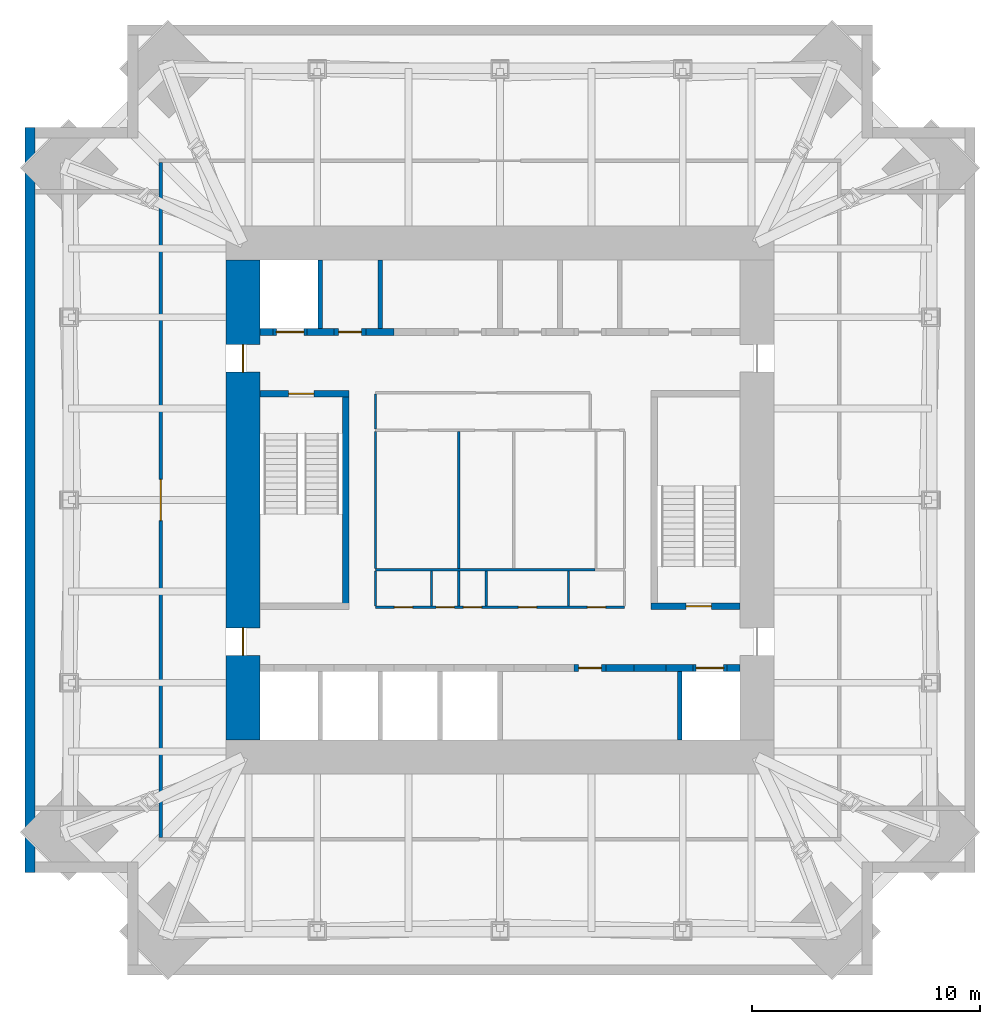
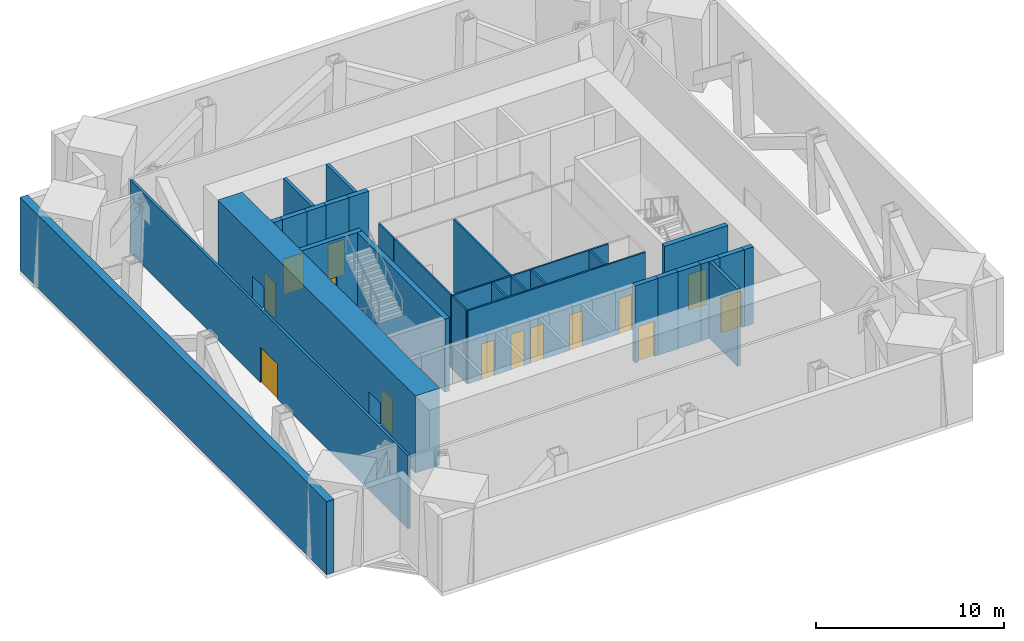
# One storey, part 3 of 6: 30 walls, 14 doors, 14 openings.
"""IFC4 building model written with IfcOpenShell, lengths in metres."""

from ifc_helpers import new_model, si_unit, direction, frame, frame_2d, origin, place, context, subcontext, project, spatial, rectangle, extrude, material, layer, layer_set, type_object, element, fill, save


model = new_model("IFC4")

# Units and contexts
model_context = context("Model", 3, precision=1e-05, world=origin(), true_north=direction((0.0, 1.0)))
body_context = subcontext(model_context, "Body", "Model", "MODEL_VIEW")
ifc_project = project(units=[si_unit("LENGTHUNIT", "METRE"), si_unit("AREAUNIT", "SQUARE_METRE"), si_unit("VOLUMEUNIT", "CUBIC_METRE"), si_unit("PLANEANGLEUNIT", "RADIAN"), si_unit("MASSUNIT", "GRAM", prefix="KILO")], contexts=[model_context])

# Site, building, storey
site_placement = place(None, origin())
site = spatial("IfcSite", under=ifc_project, at=site_placement, CompositionType="ELEMENT")
building_placement = place(site_placement, origin())
building = spatial("IfcBuilding", under=site, at=building_placement, Name="Peilmerk Tower", CompositionType="ELEMENT")
storey_placement = place(building_placement, frame((0.0, 0.0, 297.800048828125)))
storey = spatial("IfcBuildingStorey", under=building, at=storey_placement, Name="L67", CompositionType="ELEMENT", Elevation=297.800048828125)

# Wall
ifc_material_1 = material(Name="Precast concrete C45/55, board-marked finish", Category="concrete")
ifc_layer_1 = layer(ifc_material_1, 0.449951171875)
ifc_layer_set_1 = layer_set([ifc_layer_1], Name="Precast concrete C45/55, board-marked finish")
wall_type_1 = type_object("IfcWallType", Name="EW1 450 precast concrete facade wall, board-marked", PredefinedType="SOLIDWALL", material=ifc_layer_set_1)
wall_1_placement = place(storey_placement, frame((-20.574951171875, 16.300048828125, 0.0), z_axis=(0.0, 0.0, 1.0), x_axis=(0.0, -1.0, 0.0)))
element("IfcWall", 1, at=wall_1_placement, inside=storey, type_object=wall_type_1, Name="Facade wall W L67", PredefinedType="SOLIDWALL", context=body_context, shape_type="SweptSolid", body=[
    extrude(rectangle(XDim=32.60009765625, YDim=0.449951171875, at=frame_2d((16.300048828125, 0.0))), origin(), (0.0, 0.0, 1.0), 4.75),
])

# Wall, opening, door
ifc_material_2 = material(Name="Calcium silicate block", Category="masonry")
ifc_layer_2 = layer(ifc_material_2, 0.14990234375)
ifc_layer_set_2 = layer_set([ifc_layer_2], Name="Calcium silicate block")
wall_type_2 = type_object("IfcWallType", Name="IW1 150 corridor partition, EI 60", PredefinedType="PARTITIONING", material=ifc_layer_set_2)
wall_2_placement = place(storey_placement, frame((-14.85009765625, 14.77490234375, 0.0), z_axis=(0.0, 0.0, 1.0), x_axis=(0.0, -1.0, 0.0)))
wall_2 = element("IfcWall", 2, at=wall_2_placement, inside=storey, type_object=wall_type_2, Name="Corridor wall W L67", PredefinedType="PARTITIONING", context=body_context, shape_type="SweptSolid", body=[
    extrude(rectangle(XDim=29.5498046875, YDim=0.14990234375, at=frame_2d((14.77490234375, 0.0))), origin(), (0.0, 0.0, 1.0), 4.75),
])
opening_1_placement = place(wall_2_placement, frame((13.875, 0.0, 0.0)))
opening_1 = element("IfcOpeningElement", 3, at=opening_1_placement, cuts=wall_2, Name="Opening D2", PredefinedType="OPENING", context=body_context, shape_type="SweptSolid", body=[
    extrude(rectangle(XDim=1.800048828125, YDim=2.300048828125, at=frame_2d((0.89990234375, 1.14990234375))), frame((0.0, 0.0849609375, 0.0), z_axis=(0.0, -1.0, 0.0), x_axis=(1.0, 0.0, 0.0)), (0.0, 0.0, 1.0), 0.169921875),
])
ifc_material_3 = material(Name="Steel door in steel frame", Category="steel")
door_type_1 = type_object("IfcDoorType", Name="D2 1800x2300 double door, EI2 60", OperationType="DOUBLE_DOOR_DOUBLE_SWING", PredefinedType="DOOR", material=ifc_material_3)
door_1_placement = place(opening_1_placement, frame((1.800048828125, 0.0, 0.0), z_axis=(0.0, 0.0, 1.0), x_axis=(-1.0, 0.0, 0.0)))
door_1 = element("IfcDoor", 4, at=door_1_placement, inside=storey, type_object=door_type_1, Name="Door Plant room L67", OperationType="DOUBLE_DOOR_DOUBLE_SWING", OverallHeight=2.300048828125, OverallWidth=1.800048828125, PredefinedType="DOOR", context=body_context, shape_type="SweptSolid", body=[
    extrude(rectangle(XDim=1.800048828125, YDim=2.300048828125, at=frame_2d((0.89990234375, 1.14990234375))), frame((0.0, 0.02490234375, 0.0), z_axis=(0.0, -1.0, 0.0), x_axis=(1.0, 0.0, 0.0)), (0.0, 0.0, 1.0), 0.050048828125),
])
fill(opening_1, door_1)

# Wall
ifc_material_4 = material(Name="Concrete C35/45", Category="concrete")
ifc_layer_3 = layer(ifc_material_4, 0.300048828125)
ifc_layer_set_3 = layer_set([ifc_layer_3], Name="Concrete C35/45")
wall_type_3 = type_object("IfcWallType", Name="IW3 300 concrete stair enclosure wall, EI 120", PredefinedType="SOLIDWALL", material=ifc_layer_set_3)
wall_3_placement = place(storey_placement, frame((-6.75, -4.800048828125, 0.0), z_axis=(0.0, 0.0, 1.0), x_axis=(0.0, 1.0, 0.0)))
element("IfcWall", 5, at=wall_3_placement, inside=storey, type_object=wall_type_3, Name="Stair 1 enclosure L67", PredefinedType="SOLIDWALL", context=body_context, shape_type="SweptSolid", body=[
    extrude(rectangle(XDim=9.60009765625, YDim=0.300048828125, at=frame_2d((4.800048828125, 0.0))), origin(), (0.0, 0.0, 1.0), 4.75),
])

# Wall, opening, door
wall_4_placement = place(storey_placement, frame((-10.5, 4.64990234375, 0.0), z_axis=(0.0, 0.0, 1.0), x_axis=(1.0, 0.0, 0.0)))
wall_4 = element("IfcWall", 6, at=wall_4_placement, inside=storey, type_object=wall_type_3, Name="Stair 1 enclosure L67", PredefinedType="SOLIDWALL", context=body_context, shape_type="SweptSolid", body=[
    extrude(rectangle(XDim=3.89990234375, YDim=0.300048828125, at=frame_2d((1.949951171875, 0.0))), origin(), (0.0, 0.0, 1.0), 4.75),
])
opening_2_placement = place(wall_4_placement, frame((1.25, 0.0, 0.0)))
opening_2 = element("IfcOpeningElement", 7, at=opening_2_placement, cuts=wall_4, Name="Opening D4", PredefinedType="OPENING", context=body_context, shape_type="SweptSolid", body=[
    extrude(rectangle(XDim=1.10009765625, YDim=2.300048828125, at=frame_2d((0.550048828125, 1.14990234375))), frame((0.0, 0.159912109375, 0.0), z_axis=(0.0, -1.0, 0.0), x_axis=(1.0, 0.0, 0.0)), (0.0, 0.0, 1.0), 0.320068359375),
])
door_type_2 = type_object("IfcDoorType", Name="D4 1100x2300 stair door, EI2 60", OperationType="SINGLE_SWING_RIGHT", PredefinedType="DOOR", material=ifc_material_3)
door_2_placement = place(opening_2_placement, frame((1.10009765625, 0.0, 0.0), z_axis=(0.0, 0.0, 1.0), x_axis=(-1.0, 0.0, 0.0)))
door_2 = element("IfcDoor", 8, at=door_2_placement, inside=storey, type_object=door_type_2, Name="Stair 1 door L67", OperationType="SINGLE_SWING_RIGHT", OverallHeight=2.300048828125, OverallWidth=1.10009765625, PredefinedType="DOOR", context=body_context, shape_type="SweptSolid", body=[
    extrude(rectangle(XDim=1.10009765625, YDim=2.300048828125, at=frame_2d((0.550048828125, 1.14990234375))), frame((0.0, 0.02490234375, 0.0), z_axis=(0.0, -1.0, 0.0), x_axis=(1.0, 0.0, 0.0)), (0.0, 0.0, 1.0), 0.050048828125),
])
fill(opening_2, door_2)

wall_5_placement = place(storey_placement, frame((10.5, -4.64990234375, 0.0), z_axis=(0.0, 0.0, 1.0), x_axis=(-1.0, 0.0, 0.0)))
wall_5 = element("IfcWall", 9, at=wall_5_placement, inside=storey, type_object=wall_type_3, Name="Stair 2 enclosure L67", PredefinedType="SOLIDWALL", context=body_context, shape_type="SweptSolid", body=[
    extrude(rectangle(XDim=3.89990234375, YDim=0.300048828125, at=frame_2d((1.949951171875, 0.0))), origin(), (0.0, 0.0, 1.0), 4.75),
])
opening_3_placement = place(wall_5_placement, frame((1.25, 0.0, 0.0)))
opening_3 = element("IfcOpeningElement", 10, at=opening_3_placement, cuts=wall_5, Name="Opening D4", PredefinedType="OPENING", context=body_context, shape_type="SweptSolid", body=[
    extrude(rectangle(XDim=1.10009765625, YDim=2.300048828125, at=frame_2d((0.550048828125, 1.14990234375))), frame((0.0, 0.159912109375, 0.0), z_axis=(0.0, -1.0, 0.0), x_axis=(1.0, 0.0, 0.0)), (0.0, 0.0, 1.0), 0.320068359375),
])
door_3_placement = place(opening_3_placement, frame((1.10009765625, 0.0, 0.0), z_axis=(0.0, 0.0, 1.0), x_axis=(-1.0, 0.0, 0.0)))
door_3 = element("IfcDoor", 11, at=door_3_placement, inside=storey, type_object=door_type_2, Name="Stair 2 door L67", OperationType="SINGLE_SWING_RIGHT", OverallHeight=2.300048828125, OverallWidth=1.10009765625, PredefinedType="DOOR", context=body_context, shape_type="SweptSolid", body=[
    extrude(rectangle(XDim=1.10009765625, YDim=2.300048828125, at=frame_2d((0.550048828125, 1.14990234375))), frame((0.0, 0.02490234375, 0.0), z_axis=(0.0, -1.0, 0.0), x_axis=(1.0, 0.0, 0.0)), (0.0, 0.0, 1.0), 0.050048828125),
])
fill(opening_3, door_3)

# Walls
ifc_material_5 = material(Name="Plasterboard on steel studs", Category="steel")
ifc_layer_4 = layer(ifc_material_5, 0.10009765625)
ifc_layer_set_4 = layer_set([ifc_layer_4], Name="Plasterboard on steel studs")
wall_type_4 = type_object("IfcWallType", Name="IW4 100 WC partition", PredefinedType="PARTITIONING", material=ifc_layer_set_4)
wall_6_placement = place(storey_placement, frame((4.14990234375, -3.050048828125, 0.0), z_axis=(0.0, 0.0, 1.0), x_axis=(-1.0, 0.0, 0.0)))
element("IfcWall", 12, at=wall_6_placement, inside=storey, type_object=wall_type_4, Name="WC wall L67", PredefinedType="PARTITIONING", context=body_context, shape_type="SweptSolid", body=[
    extrude(rectangle(XDim=9.599853515625, YDim=0.10009765625, at=frame_2d((4.7998046875, 0.0))), origin(), (0.0, 0.0, 1.0), 4.75),
])
for number, where, z_axis, x_axis, name in (
    (13, (-5.449951171875, -3.0, 0.0), (0.0, 0.0, 1.0), (0.0, 1.0, 0.0), "WC wall L67"),
    (14, (-1.800048828125, -3.0, 0.0), (0.0, 0.0, 1.0), (0.0, 1.0, 0.0), "WC wall L67"),
):
    element("IfcWall", number, at=place(storey_placement, frame(where, z_axis=z_axis, x_axis=x_axis)), inside=storey, type_object=wall_type_4, Name=name, PredefinedType="PARTITIONING", context=body_context, shape_type="SweptSolid", body=[
        extrude(rectangle(XDim=6.0, YDim=0.10009765625, at=frame_2d((3.0, 0.0))), origin(), (0.0, 0.0, 1.0), 4.75),
    ])

# Wall, openings, doors
ifc_material_6 = material(Name="Calcium silicate board on steel studs", Category="steel")
ifc_layer_5 = layer(ifc_material_6, 0.10009765625)
ifc_layer_set_5 = layer_set([ifc_layer_5], Name="Calcium silicate board on steel studs")
wall_type_5 = type_object("IfcWallType", Name="IW5 100 riser enclosure wall, EI 60", PredefinedType="PARTITIONING", material=ifc_layer_set_5)
wall_7_placement = place(storey_placement, frame((5.449951171875, -4.699951171875, 0.0), z_axis=(0.0, 0.0, 1.0), x_axis=(-1.0, 0.0, 0.0)))
wall_7 = element("IfcWall", 15, at=wall_7_placement, inside=storey, type_object=wall_type_5, Name="Riser wall L67", PredefinedType="PARTITIONING", context=body_context, shape_type="SweptSolid", body=[
    extrude(rectangle(XDim=10.89990234375, YDim=0.10009765625, at=frame_2d((5.449951171875, 0.0))), origin(), (0.0, 0.0, 1.0), 4.75),
])
opening_4_placement = place(wall_7_placement, frame((9.27490234375, 0.0, 0.0)))
opening_4 = element("IfcOpeningElement", 16, at=opening_4_placement, cuts=wall_7, Name="Opening D7", PredefinedType="OPENING", context=body_context, shape_type="SweptSolid", body=[
    extrude(rectangle(XDim=0.800048828125, YDim=2.300048828125, at=frame_2d((0.39990234375, 1.14990234375))), frame((0.0, 0.06005859375, 0.0), z_axis=(0.0, -1.0, 0.0), x_axis=(1.0, 0.0, 0.0)), (0.0, 0.0, 1.0), 0.1201171875),
])
opening_5_placement = place(wall_7_placement, frame((7.449951171875, 0.0, 0.0)))
opening_5 = element("IfcOpeningElement", 17, at=opening_5_placement, cuts=wall_7, Name="Opening D7", PredefinedType="OPENING", context=body_context, shape_type="SweptSolid", body=[
    extrude(rectangle(XDim=0.800048828125, YDim=2.300048828125, at=frame_2d((0.39990234375, 1.14990234375))), frame((0.0, 0.06005859375, 0.0), z_axis=(0.0, -1.0, 0.0), x_axis=(1.0, 0.0, 0.0)), (0.0, 0.0, 1.0), 0.1201171875),
])
opening_6_placement = place(wall_7_placement, frame((6.25, 0.0, 0.0)))
opening_6 = element("IfcOpeningElement", 18, at=opening_6_placement, cuts=wall_7, Name="Opening D7", PredefinedType="OPENING", context=body_context, shape_type="SweptSolid", body=[
    extrude(rectangle(XDim=0.800048828125, YDim=2.300048828125, at=frame_2d((0.39990234375, 1.14990234375))), frame((0.0, 0.06005859375, 0.0), z_axis=(0.0, -1.0, 0.0), x_axis=(1.0, 0.0, 0.0)), (0.0, 0.0, 1.0), 0.1201171875),
])
opening_7_placement = place(wall_7_placement, frame((3.85009765625, 0.0, 0.0)))
opening_7 = element("IfcOpeningElement", 19, at=opening_7_placement, cuts=wall_7, Name="Opening D7", PredefinedType="OPENING", context=body_context, shape_type="SweptSolid", body=[
    extrude(rectangle(XDim=0.800048828125, YDim=2.300048828125, at=frame_2d((0.39990234375, 1.14990234375))), frame((0.0, 0.06005859375, 0.0), z_axis=(0.0, -1.0, 0.0), x_axis=(1.0, 0.0, 0.0)), (0.0, 0.0, 1.0), 0.1201171875),
])
opening_8_placement = place(wall_7_placement, frame((0.824951171875, 0.0, 0.0)))
opening_8 = element("IfcOpeningElement", 20, at=opening_8_placement, cuts=wall_7, Name="Opening D7", PredefinedType="OPENING", context=body_context, shape_type="SweptSolid", body=[
    extrude(rectangle(XDim=0.800048828125, YDim=2.300048828125, at=frame_2d((0.39990234375, 1.14990234375))), frame((0.0, 0.06005859375, 0.0), z_axis=(0.0, -1.0, 0.0), x_axis=(1.0, 0.0, 0.0)), (0.0, 0.0, 1.0), 0.1201171875),
])
door_type_3 = type_object("IfcDoorType", Name="D7 800x2300 riser access door, EI2 60", OperationType="SINGLE_SWING_RIGHT", PredefinedType="DOOR", material=ifc_material_3)
door_4_placement = place(opening_4_placement, frame((0.800048828125, 0.0, 0.0), z_axis=(0.0, 0.0, 1.0), x_axis=(-1.0, 0.0, 0.0)))
door_4 = element("IfcDoor", 21, at=door_4_placement, inside=storey, type_object=door_type_3, Name="Cleaner's cupboard door L67", OperationType="SINGLE_SWING_RIGHT", OverallHeight=2.300048828125, OverallWidth=0.800048828125, PredefinedType="DOOR", context=body_context, shape_type="SweptSolid", body=[
    extrude(rectangle(XDim=0.800048828125, YDim=2.300048828125, at=frame_2d((0.39990234375, 1.14990234375))), frame((0.0, 0.02490234375, 0.0), z_axis=(0.0, -1.0, 0.0), x_axis=(1.0, 0.0, 0.0)), (0.0, 0.0, 1.0), 0.050048828125),
])
fill(opening_4, door_4)
door_5_placement = place(opening_5_placement, frame((0.800048828125, 0.0, 0.0), z_axis=(0.0, 0.0, 1.0), x_axis=(-1.0, 0.0, 0.0)))
door_5 = element("IfcDoor", 22, at=door_5_placement, inside=storey, type_object=door_type_3, Name="Electrical riser door L67", OperationType="SINGLE_SWING_RIGHT", OverallHeight=2.300048828125, OverallWidth=0.800048828125, PredefinedType="DOOR", context=body_context, shape_type="SweptSolid", body=[
    extrude(rectangle(XDim=0.800048828125, YDim=2.300048828125, at=frame_2d((0.39990234375, 1.14990234375))), frame((0.0, 0.02490234375, 0.0), z_axis=(0.0, -1.0, 0.0), x_axis=(1.0, 0.0, 0.0)), (0.0, 0.0, 1.0), 0.050048828125),
])
fill(opening_5, door_5)
door_6_placement = place(opening_6_placement, frame((0.800048828125, 0.0, 0.0), z_axis=(0.0, 0.0, 1.0), x_axis=(-1.0, 0.0, 0.0)))
door_6 = element("IfcDoor", 23, at=door_6_placement, inside=storey, type_object=door_type_3, Name="Data riser door L67", OperationType="SINGLE_SWING_RIGHT", OverallHeight=2.300048828125, OverallWidth=0.800048828125, PredefinedType="DOOR", context=body_context, shape_type="SweptSolid", body=[
    extrude(rectangle(XDim=0.800048828125, YDim=2.300048828125, at=frame_2d((0.39990234375, 1.14990234375))), frame((0.0, 0.02490234375, 0.0), z_axis=(0.0, -1.0, 0.0), x_axis=(1.0, 0.0, 0.0)), (0.0, 0.0, 1.0), 0.050048828125),
])
fill(opening_6, door_6)
door_7_placement = place(opening_7_placement, frame((0.800048828125, 0.0, 0.0), z_axis=(0.0, 0.0, 1.0), x_axis=(-1.0, 0.0, 0.0)))
door_7 = element("IfcDoor", 24, at=door_7_placement, inside=storey, type_object=door_type_3, Name="Comms room door L67", OperationType="SINGLE_SWING_RIGHT", OverallHeight=2.300048828125, OverallWidth=0.800048828125, PredefinedType="DOOR", context=body_context, shape_type="SweptSolid", body=[
    extrude(rectangle(XDim=0.800048828125, YDim=2.300048828125, at=frame_2d((0.39990234375, 1.14990234375))), frame((0.0, 0.02490234375, 0.0), z_axis=(0.0, -1.0, 0.0), x_axis=(1.0, 0.0, 0.0)), (0.0, 0.0, 1.0), 0.050048828125),
])
fill(opening_7, door_7)
door_8_placement = place(opening_8_placement, frame((0.800048828125, 0.0, 0.0), z_axis=(0.0, 0.0, 1.0), x_axis=(-1.0, 0.0, 0.0)))
door_8 = element("IfcDoor", 25, at=door_8_placement, inside=storey, type_object=door_type_3, Name="Water meter room door L67", OperationType="SINGLE_SWING_RIGHT", OverallHeight=2.300048828125, OverallWidth=0.800048828125, PredefinedType="DOOR", context=body_context, shape_type="SweptSolid", body=[
    extrude(rectangle(XDim=0.800048828125, YDim=2.300048828125, at=frame_2d((0.39990234375, 1.14990234375))), frame((0.0, 0.02490234375, 0.0), z_axis=(0.0, -1.0, 0.0), x_axis=(1.0, 0.0, 0.0)), (0.0, 0.0, 1.0), 0.050048828125),
])
fill(opening_8, door_8)

# Walls
for number, where, z_axis, x_axis, name in (
    (26, (-5.449951171875, -3.10009765625, 0.0), (0.0, 0.0, 1.0), (0.0, -1.0, 0.0), "Riser wall L67"),
    (27, (-3.0, -3.10009765625, 0.0), (0.0, 0.0, 1.0), (0.0, -1.0, 0.0), "Riser wall L67"),
    (28, (-1.800048828125, -3.10009765625, 0.0), (0.0, 0.0, 1.0), (0.0, -1.0, 0.0), "Riser wall L67"),
    (29, (-0.60009765625, -3.10009765625, 0.0), (0.0, 0.0, 1.0), (0.0, -1.0, 0.0), "Riser wall L67"),
    (30, (3.0, -3.10009765625, 0.0), (0.0, 0.0, 1.0), (0.0, -1.0, 0.0), "Riser wall L67"),
):
    element("IfcWall", number, at=place(storey_placement, frame(where, z_axis=z_axis, x_axis=x_axis)), inside=storey, type_object=wall_type_5, Name=name, PredefinedType="PARTITIONING", context=body_context, shape_type="SweptSolid", body=[
        extrude(rectangle(XDim=1.5498046875, YDim=0.10009765625, at=frame_2d((0.77490234375, 0.0))), origin(), (0.0, 0.0, 1.0), 4.75),
    ])
ifc_material_7 = material(Name="Fire-resisting plasterboard on steel studs", Category="steel")
ifc_layer_6 = layer(ifc_material_7, 0.10009765625)
ifc_layer_set_6 = layer_set([ifc_layer_6], Name="Fire-resisting plasterboard on steel studs")
wall_type_6 = type_object("IfcWallType", Name="IW9 100 WC lobby wall, EI 30", PredefinedType="PARTITIONING", material=ifc_layer_set_6)
wall_8_placement = place(storey_placement, frame((-5.449951171875, 3.10009765625, 0.0), z_axis=(0.0, 0.0, 1.0), x_axis=(0.0, 1.0, 0.0)))
element("IfcWall", 31, at=wall_8_placement, inside=storey, type_object=wall_type_6, Name="WC lobby wall L67", PredefinedType="PARTITIONING", context=body_context, shape_type="SweptSolid", body=[
    extrude(rectangle(XDim=1.5498046875, YDim=0.10009765625, at=frame_2d((0.77490234375, 0.0))), origin(), (0.0, 0.0, 1.0), 4.75),
])
ifc_layer_7 = layer(ifc_material_2, 0.199951171875)
ifc_layer_set_7 = layer_set([ifc_layer_7], Name="Calcium silicate block")
wall_type_7 = type_object("IfcWallType", Name="SH1 200 shaft dividing wall, EI 120", PredefinedType="PARTITIONING", material=ifc_layer_set_7)
for number, where, z_axis, x_axis, name in (
    (32, (-7.875, 7.5, 0.0), (0.0, 0.0, 1.0), (0.0, 1.0, 0.0), "Shaft wall N FL1 L67"),
    (33, (-5.25, 7.5, 0.0), (0.0, 0.0, 1.0), (0.0, 1.0, 0.0), "Shaft wall N A1 L67"),
    (34, (7.875, -10.5, 0.0), (0.0, 0.0, 1.0), (0.0, 1.0, 0.0), "Shaft wall S B1 L67"),
):
    element("IfcWall", number, at=place(storey_placement, frame(where, z_axis=z_axis, x_axis=x_axis)), inside=storey, type_object=wall_type_7, Name=name, PredefinedType="PARTITIONING", context=body_context, shape_type="SweptSolid", body=[
        extrude(rectangle(XDim=3.0, YDim=0.199951171875, at=frame_2d((1.5, 0.0))), origin(), (0.0, 0.0, 1.0), 5.0),
    ])

# Wall, opening, door
ifc_layer_8 = layer(ifc_material_2, 0.300048828125)
ifc_layer_set_8 = layer_set([ifc_layer_8], Name="Calcium silicate block")
wall_type_8 = type_object("IfcWallType", Name="SH2 300 lift landing door panel, EI 120", PredefinedType="PARTITIONING", material=ifc_layer_set_8)
wall_9_placement = place(storey_placement, frame((-9.9375, 7.35009765625, 0.0), z_axis=(0.0, 0.0, 1.0), x_axis=(1.0, 0.0, 0.0)))
wall_9 = element("IfcWall", 35, at=wall_9_placement, inside=storey, type_object=wall_type_8, Name="Lift door panel N FL1 L67", PredefinedType="PARTITIONING", context=body_context, shape_type="SweptSolid", body=[
    extrude(rectangle(XDim=1.5, YDim=0.300048828125, at=frame_2d((0.75, 0.0))), origin(), (0.0, 0.0, 1.0), 5.0),
])
opening_9_placement = place(wall_9_placement, frame((0.14990234375, 0.0, 0.0)))
opening_9 = element("IfcOpeningElement", 36, at=opening_9_placement, cuts=wall_9, Name="Opening LD2", PredefinedType="OPENING", context=body_context, shape_type="SweptSolid", body=[
    extrude(rectangle(XDim=1.199951171875, YDim=2.300048828125, at=frame_2d((0.60009765625, 1.14990234375))), frame((0.0, 0.159912109375, 0.0), z_axis=(0.0, -1.0, 0.0), x_axis=(1.0, 0.0, 0.0)), (0.0, 0.0, 1.0), 0.320068359375),
])
ifc_material_8 = material(Name="Stainless steel landing door", Category="steel")
door_type_4 = type_object("IfcDoorType", Name="LD2 1200x2300 lift landing door, sliding, EI2 60", OperationType="SLIDING_TO_LEFT", PredefinedType="DOOR", material=ifc_material_8)
door_9_placement = place(opening_9_placement, frame((1.199951171875, 0.0, 0.0), z_axis=(0.0, 0.0, 1.0), x_axis=(-1.0, 0.0, 0.0)))
door_9 = element("IfcDoor", 37, at=door_9_placement, inside=storey, type_object=door_type_4, Name="Lift landing door FL1 L67", OperationType="SLIDING_TO_LEFT", OverallHeight=2.300048828125, OverallWidth=1.199951171875, PredefinedType="DOOR", context=body_context, shape_type="SweptSolid", body=[
    extrude(rectangle(XDim=1.199951171875, YDim=2.300048828125, at=frame_2d((0.60009765625, 1.14990234375))), frame((0.0, 0.02490234375, 0.0), z_axis=(0.0, -1.0, 0.0), x_axis=(1.0, 0.0, 0.0)), (0.0, 0.0, 1.0), 0.050048828125),
])
fill(opening_9, door_9)

wall_10_placement = place(storey_placement, frame((-7.262451171875, 7.35009765625, 0.0), z_axis=(0.0, 0.0, 1.0), x_axis=(1.0, 0.0, 0.0)))
wall_10 = element("IfcWall", 38, at=wall_10_placement, inside=storey, type_object=wall_type_8, Name="Lift door panel N A1 L67", PredefinedType="PARTITIONING", context=body_context, shape_type="SweptSolid", body=[
    extrude(rectangle(XDim=1.39990234375, YDim=0.300048828125, at=frame_2d((0.699951171875, 0.0))), origin(), (0.0, 0.0, 1.0), 5.0),
])
opening_10_placement = place(wall_10_placement, frame((0.199951171875, 0.0, 0.0)))
opening_10 = element("IfcOpeningElement", 39, at=opening_10_placement, cuts=wall_10, Name="Opening D10", PredefinedType="OPENING", context=body_context, shape_type="SweptSolid", body=[
    extrude(rectangle(XDim=1.0, YDim=2.300048828125, at=frame_2d((0.5, 1.14990234375))), frame((0.0, 0.159912109375, 0.0), z_axis=(0.0, -1.0, 0.0), x_axis=(1.0, 0.0, 0.0)), (0.0, 0.0, 1.0), 0.320068359375),
])
door_type_5 = type_object("IfcDoorType", Name="D10 1000x2300 core room door, EI2 60", OperationType="SINGLE_SWING_RIGHT", PredefinedType="DOOR", material=ifc_material_3)
door_10_placement = place(opening_10_placement, origin())
door_10 = element("IfcDoor", 40, at=door_10_placement, inside=storey, type_object=door_type_5, Name="Door Pressurisation plant room L67", OperationType="SINGLE_SWING_RIGHT", OverallHeight=2.300048828125, OverallWidth=1.0, PredefinedType="DOOR", context=body_context, shape_type="SweptSolid", body=[
    extrude(rectangle(XDim=1.0, YDim=2.300048828125, at=frame_2d((0.5, 1.14990234375))), frame((0.0, 0.02490234375, 0.0), z_axis=(0.0, -1.0, 0.0), x_axis=(1.0, 0.0, 0.0)), (0.0, 0.0, 1.0), 0.050048828125),
])
fill(opening_10, door_10)

wall_11_placement = place(storey_placement, frame((3.237548828125, -7.35009765625, 0.0), z_axis=(0.0, 0.0, 1.0), x_axis=(1.0, 0.0, 0.0)))
wall_11 = element("IfcWall", 41, at=wall_11_placement, inside=storey, type_object=wall_type_8, Name="Lift door panel S B2 L67", PredefinedType="PARTITIONING", context=body_context, shape_type="SweptSolid", body=[
    extrude(rectangle(XDim=1.39990234375, YDim=0.300048828125, at=frame_2d((0.699951171875, 0.0))), origin(), (0.0, 0.0, 1.0), 5.0),
])
opening_11_placement = place(wall_11_placement, frame((0.199951171875, 0.0, 0.0)))
opening_11 = element("IfcOpeningElement", 42, at=opening_11_placement, cuts=wall_11, Name="Opening D10", PredefinedType="OPENING", context=body_context, shape_type="SweptSolid", body=[
    extrude(rectangle(XDim=1.0, YDim=2.300048828125, at=frame_2d((0.5, 1.14990234375))), frame((0.0, 0.159912109375, 0.0), z_axis=(0.0, -1.0, 0.0), x_axis=(1.0, 0.0, 0.0)), (0.0, 0.0, 1.0), 0.320068359375),
])
door_11_placement = place(opening_11_placement, frame((1.0, 0.0, 0.0), z_axis=(0.0, 0.0, 1.0), x_axis=(-1.0, 0.0, 0.0)))
door_11 = element("IfcDoor", 43, at=door_11_placement, inside=storey, type_object=door_type_5, Name="Door Ventilation plant room L67", OperationType="SINGLE_SWING_RIGHT", OverallHeight=2.300048828125, OverallWidth=1.0, PredefinedType="DOOR", context=body_context, shape_type="SweptSolid", body=[
    extrude(rectangle(XDim=1.0, YDim=2.300048828125, at=frame_2d((0.5, 1.14990234375))), frame((0.0, 0.02490234375, 0.0), z_axis=(0.0, -1.0, 0.0), x_axis=(1.0, 0.0, 0.0)), (0.0, 0.0, 1.0), 0.050048828125),
])
fill(opening_11, door_11)

# Wall
wall_12_placement = place(storey_placement, frame((5.862548828125, -7.35009765625, 0.0), z_axis=(0.0, 0.0, 1.0), x_axis=(1.0, 0.0, 0.0)))
element("IfcWall", 44, at=wall_12_placement, inside=storey, type_object=wall_type_8, Name="Lift door panel S B1 L67", PredefinedType="PARTITIONING", context=body_context, shape_type="SweptSolid", body=[
    extrude(rectangle(XDim=1.39990234375, YDim=0.300048828125, at=frame_2d((0.699951171875, 0.0))), origin(), (0.0, 0.0, 1.0), 5.0),
])

# Wall, opening, door
wall_13_placement = place(storey_placement, frame((8.4375, -7.35009765625, 0.0), z_axis=(0.0, 0.0, 1.0), x_axis=(1.0, 0.0, 0.0)))
wall_13 = element("IfcWall", 45, at=wall_13_placement, inside=storey, type_object=wall_type_8, Name="Lift door panel S FL2 L67", PredefinedType="PARTITIONING", context=body_context, shape_type="SweptSolid", body=[
    extrude(rectangle(XDim=1.5, YDim=0.300048828125, at=frame_2d((0.75, 0.0))), origin(), (0.0, 0.0, 1.0), 5.0),
])
opening_12_placement = place(wall_13_placement, frame((0.14990234375, 0.0, 0.0)))
opening_12 = element("IfcOpeningElement", 46, at=opening_12_placement, cuts=wall_13, Name="Opening LD2", PredefinedType="OPENING", context=body_context, shape_type="SweptSolid", body=[
    extrude(rectangle(XDim=1.199951171875, YDim=2.300048828125, at=frame_2d((0.60009765625, 1.14990234375))), frame((0.0, 0.159912109375, 0.0), z_axis=(0.0, -1.0, 0.0), x_axis=(1.0, 0.0, 0.0)), (0.0, 0.0, 1.0), 0.320068359375),
])
door_12_placement = place(opening_12_placement, origin())
door_12 = element("IfcDoor", 47, at=door_12_placement, inside=storey, type_object=door_type_4, Name="Lift landing door FL2 L67", OperationType="SLIDING_TO_LEFT", OverallHeight=2.300048828125, OverallWidth=1.199951171875, PredefinedType="DOOR", context=body_context, shape_type="SweptSolid", body=[
    extrude(rectangle(XDim=1.199951171875, YDim=2.300048828125, at=frame_2d((0.60009765625, 1.14990234375))), frame((0.0, 0.02490234375, 0.0), z_axis=(0.0, -1.0, 0.0), x_axis=(1.0, 0.0, 0.0)), (0.0, 0.0, 1.0), 0.050048828125),
])
fill(opening_12, door_12)

# Wall, openings, doors
ifc_material_9 = material(Name="Concrete C55/67", Category="concrete")
ifc_layer_9 = layer(ifc_material_9, 1.5)
ifc_layer_set_9 = layer_set([ifc_layer_9], Name="Concrete C55/67")
wall_type_9 = type_object("IfcWallType", Name="SW1 1500 core wall", PredefinedType="SHEAR", material=ifc_layer_set_9)
wall_14_placement = place(storey_placement, frame((-11.25, -10.5, 0.0), z_axis=(0.0, 0.0, 1.0), x_axis=(0.0, 1.0, 0.0)))
wall_14 = element("IfcWall", 48, at=wall_14_placement, inside=storey, type_object=wall_type_9, Name="Core wall W L67", PredefinedType="SHEAR", context=body_context, shape_type="SweptSolid", body=[
    extrude(rectangle(XDim=21.0, YDim=1.5, at=frame_2d((10.5, 0.0))), origin(), (0.0, 0.0, 1.0), 5.0),
])
opening_13_placement = place(wall_14_placement, frame((16.10009765625, 0.0, 0.0)))
opening_13 = element("IfcOpeningElement", 49, at=opening_13_placement, cuts=wall_14, Name="Opening D3", PredefinedType="OPENING", context=body_context, shape_type="SweptSolid", body=[
    extrude(rectangle(XDim=1.199951171875, YDim=2.300048828125, at=frame_2d((0.60009765625, 1.14990234375))), frame((0.0, 0.760009765625, 0.0), z_axis=(0.0, -1.0, 0.0), x_axis=(1.0, 0.0, 0.0)), (0.0, 0.0, 1.0), 1.52001953125),
])
opening_14_placement = place(wall_14_placement, frame((3.699951171875, 0.0, 0.0)))
opening_14 = element("IfcOpeningElement", 50, at=opening_14_placement, cuts=wall_14, Name="Opening D3", PredefinedType="OPENING", context=body_context, shape_type="SweptSolid", body=[
    extrude(rectangle(XDim=1.199951171875, YDim=2.300048828125, at=frame_2d((0.60009765625, 1.14990234375))), frame((0.0, 0.760009765625, 0.0), z_axis=(0.0, -1.0, 0.0), x_axis=(1.0, 0.0, 0.0)), (0.0, 0.0, 1.0), 1.52001953125),
])
door_type_6 = type_object("IfcDoorType", Name="D3 1200x2300 core door, EI2 60", OperationType="SINGLE_SWING_LEFT", PredefinedType="DOOR", material=ifc_material_3)
door_13_placement = place(opening_13_placement, frame((1.199951171875, 0.0, 0.0), z_axis=(0.0, 0.0, 1.0), x_axis=(-1.0, 0.0, 0.0)))
door_13 = element("IfcDoor", 51, at=door_13_placement, inside=storey, type_object=door_type_6, Name="Core door L67", OperationType="SINGLE_SWING_LEFT", OverallHeight=2.300048828125, OverallWidth=1.199951171875, PredefinedType="DOOR", context=body_context, shape_type="SweptSolid", body=[
    extrude(rectangle(XDim=1.199951171875, YDim=2.300048828125, at=frame_2d((0.60009765625, 1.14990234375))), frame((0.0, 0.02490234375, 0.0), z_axis=(0.0, -1.0, 0.0), x_axis=(1.0, 0.0, 0.0)), (0.0, 0.0, 1.0), 0.050048828125),
])
fill(opening_13, door_13)
door_14_placement = place(opening_14_placement, frame((1.199951171875, 0.0, 0.0), z_axis=(0.0, 0.0, 1.0), x_axis=(-1.0, 0.0, 0.0)))
door_14 = element("IfcDoor", 52, at=door_14_placement, inside=storey, type_object=door_type_6, Name="Core door L67", OperationType="SINGLE_SWING_LEFT", OverallHeight=2.300048828125, OverallWidth=1.199951171875, PredefinedType="DOOR", context=body_context, shape_type="SweptSolid", body=[
    extrude(rectangle(XDim=1.199951171875, YDim=2.300048828125, at=frame_2d((0.60009765625, 1.14990234375))), frame((0.0, 0.02490234375, 0.0), z_axis=(0.0, -1.0, 0.0), x_axis=(1.0, 0.0, 0.0)), (0.0, 0.0, 1.0), 0.050048828125),
])
fill(opening_14, door_14)

# Walls
ifc_layer_10 = layer(ifc_material_9, 0.300048828125)
ifc_layer_set_10 = layer_set([ifc_layer_10], Name="Concrete C55/67")
wall_type_10 = type_object("IfcWallType", Name="SW2 300 lift bank pier", PredefinedType="SHEAR", material=ifc_layer_set_10)
wall_15_placement = place(storey_placement, frame((-10.5, 7.35009765625, 0.0), z_axis=(0.0, 0.0, 1.0), x_axis=(1.0, 0.0, 0.0)))
element("IfcWall", 53, at=wall_15_placement, inside=storey, type_object=wall_type_10, Name="Lift bank pier N L67", PredefinedType="SHEAR", context=body_context, shape_type="SweptSolid", body=[
    extrude(rectangle(XDim=0.5625, YDim=0.300048828125, at=frame_2d((0.28125, 0.0))), origin(), (0.0, 0.0, 1.0), 5.0),
])
wall_16_placement = place(storey_placement, frame((-8.4375, 7.35009765625, 0.0), z_axis=(0.0, 0.0, 1.0), x_axis=(1.0, 0.0, 0.0)))
element("IfcWall", 54, at=wall_16_placement, inside=storey, type_object=wall_type_10, Name="Lift bank pier N L67", PredefinedType="SHEAR", context=body_context, shape_type="SweptSolid", body=[
    extrude(rectangle(XDim=1.175048828125, YDim=0.300048828125, at=frame_2d((0.58740234375, 0.0))), origin(), (0.0, 0.0, 1.0), 5.0),
])
for number, where, z_axis, x_axis, name in (
    (55, (-5.862548828125, 7.35009765625, 0.0), (0.0, 0.0, 1.0), (1.0, 0.0, 0.0), "Lift bank pier N L67"),
    (56, (4.637451171875, -7.35009765625, 0.0), (0.0, 0.0, 1.0), (1.0, 0.0, 0.0), "Lift bank pier S L67"),
):
    element("IfcWall", number, at=place(storey_placement, frame(where, z_axis=z_axis, x_axis=x_axis)), inside=storey, type_object=wall_type_10, Name=name, PredefinedType="SHEAR", context=body_context, shape_type="SweptSolid", body=[
        extrude(rectangle(XDim=1.22509765625, YDim=0.300048828125, at=frame_2d((0.612548828125, 0.0))), origin(), (0.0, 0.0, 1.0), 5.0),
    ])
wall_17_placement = place(storey_placement, frame((7.262451171875, -7.35009765625, 0.0), z_axis=(0.0, 0.0, 1.0), x_axis=(1.0, 0.0, 0.0)))
element("IfcWall", 57, at=wall_17_placement, inside=storey, type_object=wall_type_10, Name="Lift bank pier S L67", PredefinedType="SHEAR", context=body_context, shape_type="SweptSolid", body=[
    extrude(rectangle(XDim=1.175048828125, YDim=0.300048828125, at=frame_2d((0.58740234375, 0.0))), origin(), (0.0, 0.0, 1.0), 5.0),
])
wall_18_placement = place(storey_placement, frame((9.9375, -7.35009765625, 0.0), z_axis=(0.0, 0.0, 1.0), x_axis=(1.0, 0.0, 0.0)))
element("IfcWall", 58, at=wall_18_placement, inside=storey, type_object=wall_type_10, Name="Lift bank pier S L67", PredefinedType="SHEAR", context=body_context, shape_type="SweptSolid", body=[
    extrude(rectangle(XDim=0.5625, YDim=0.300048828125, at=frame_2d((0.28125, 0.0))), origin(), (0.0, 0.0, 1.0), 5.0),
])

save(model, "model.ifc")
